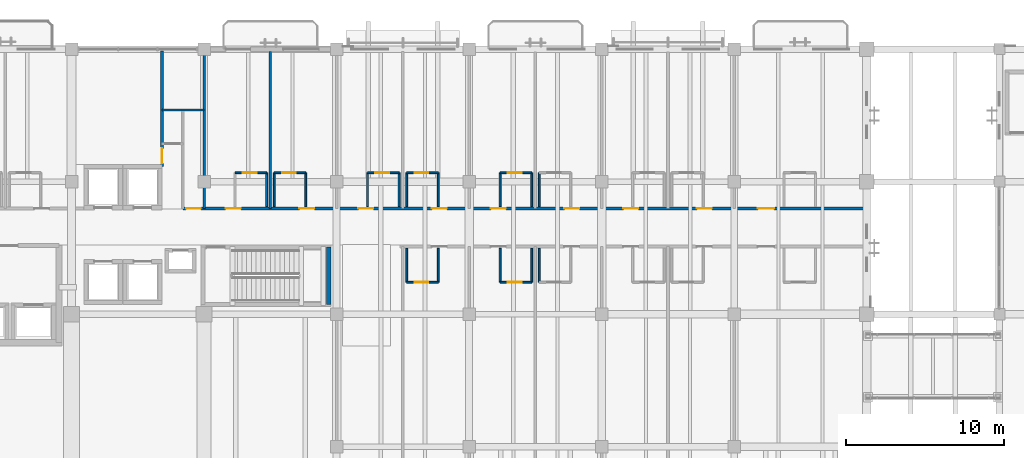
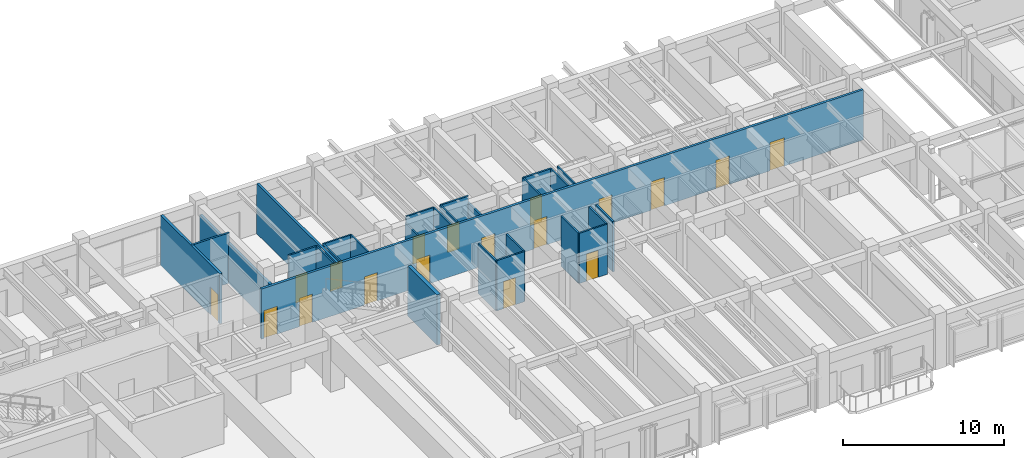
# One storey, part 89 of 132: 28 walls, 18 doors, 18 openings.
"""IFC4 building model written with IfcOpenShell, lengths in metres."""

from ifc_helpers import new_model, si_unit, direction, frame, frame_2d, origin, place, context, subcontext, project, spatial, rectangle, extrude, material, layer, layer_set, type_object, element, fill, save


model = new_model("IFC4")

# Units and contexts
model_context = context("Model", 3, precision=1e-05, world=origin(), true_north=direction((0.0, 1.0)))
body_context = subcontext(model_context, "Body", "Model", "MODEL_VIEW")
ifc_project = project(units=[si_unit("LENGTHUNIT", "METRE"), si_unit("AREAUNIT", "SQUARE_METRE"), si_unit("VOLUMEUNIT", "CUBIC_METRE"), si_unit("PLANEANGLEUNIT", "RADIAN"), si_unit("MASSUNIT", "GRAM", prefix="KILO")], contexts=[model_context])

# Site, building, storey
site_placement = place(None, origin())
site = spatial("IfcSite", under=ifc_project, at=site_placement, CompositionType="ELEMENT")
building_placement = place(site_placement, origin())
building = spatial("IfcBuilding", under=site, at=building_placement, Name="Cumbredor Promenade Congress Hotel", CompositionType="ELEMENT")
storey_placement = place(building_placement, frame((0.0, 0.0, 7.56005859375)))
storey = spatial("IfcBuildingStorey", under=building, at=storey_placement, Name="L02", CompositionType="ELEMENT", Elevation=7.56005859375)

# Wall, opening, door
ifc_material_1 = material(Name="Moisture-resistant gypsum board on steel studs", Category="steel")
ifc_layer_1 = layer(ifc_material_1, 0.114990234375, Name="Moisture-resistant gypsum board on steel studs", Category="steel")
ifc_layer_set_1 = layer_set([ifc_layer_1], Name="Moisture-resistant gypsum board on steel studs")
wall_type_1 = type_object("IfcWallType", Name="WL-BATH-115", PredefinedType="PARTITIONING", material=ifc_layer_set_1)
wall_1_placement = place(storey_placement, frame((43.9599609375, 109.77001953125, 0.0), z_axis=(0.0, 0.0, 1.0), x_axis=(1.0, 0.0, 0.0)))
wall_1 = element("IfcWall", 1, at=wall_1_placement, inside=storey, type_object=wall_type_1, Name="L02 Interior Partition W-L02-BH-0209", PredefinedType="PARTITIONING", context=body_context, shape_type="SweptSolid", body=[
    extrude(rectangle(XDim=2.0, YDim=0.114990234375, at=frame_2d((1.0, 0.0))), origin(), (0.0, 0.0, 1.0), 3.800048828125),
])
opening_1_placement = place(wall_1_placement, frame((0.5, 0.0, 0.0)))
opening_1 = element("IfcOpeningElement", 2, at=opening_1_placement, cuts=wall_1, Name="Opening ID-01", PredefinedType="OPENING", context=body_context, shape_type="SweptSolid", body=[
    extrude(rectangle(XDim=0.860107421875, YDim=2.050048828125, at=frame_2d((0.43017578125, 1.02490234375))), frame((0.0, 0.0673828125, 0.0), z_axis=(0.0, -1.0, 0.0), x_axis=(1.0, 0.0, 0.0)), (0.0, 0.0, 1.0), 0.135009765625),
])
ifc_material_2 = material(Name="Kiln-dried tropical hardwood", Category="wood")
door_type_1 = type_object("IfcDoorType", Name="DR-BATH-860", OperationType="NOTDEFINED", PredefinedType="DOOR", material=ifc_material_2)
door_1_placement = place(opening_1_placement, origin())
door_1 = element("IfcDoor", 3, at=door_1_placement, inside=storey, type_object=door_type_1, Name="L02 Interior Door W-L02-BH-0209-01", OperationType="SINGLE_SWING_RIGHT", OverallHeight=2.050048828125, OverallWidth=0.860107421875, PredefinedType="DOOR", context=body_context, shape_type="SweptSolid", body=[
    extrude(rectangle(XDim=0.860107421875, YDim=2.050048828125, at=frame_2d((0.43017578125, 1.02490234375))), frame((0.0, 0.02490234375, 0.0), z_axis=(0.0, -1.0, 0.0), x_axis=(1.0, 0.0, 0.0)), (0.0, 0.0, 1.0), 0.050048828125),
])
fill(opening_1, door_1)

# Wall
wall_2_placement = place(storey_placement, frame((45.9599609375, 107.6201171875, 0.0), z_axis=(0.0, 0.0, 1.0), x_axis=(0.0, 1.0, 0.0)))
element("IfcWall", 4, at=wall_2_placement, inside=storey, type_object=wall_type_1, Name="L02 Interior Partition W-L02-BV2-0209", PredefinedType="PARTITIONING", context=body_context, shape_type="SweptSolid", body=[
    extrude(rectangle(XDim=2.14990234375, YDim=0.114990234375, at=frame_2d((1.074951171875, 0.0))), origin(), (0.0, 0.0, 1.0), 3.800048828125),
])

# Wall, opening, door
wall_3_placement = place(storey_placement, frame((46.43994140625, 109.77001953125, 0.0), z_axis=(0.0, 0.0, 1.0), x_axis=(1.0, 0.0, 0.0)))
wall_3 = element("IfcWall", 5, at=wall_3_placement, inside=storey, type_object=wall_type_1, Name="L02 Interior Partition W-L02-BH-0210", PredefinedType="PARTITIONING", context=body_context, shape_type="SweptSolid", body=[
    extrude(rectangle(XDim=2.0, YDim=0.114990234375, at=frame_2d((1.0, 0.0))), origin(), (0.0, 0.0, 1.0), 3.800048828125),
])
opening_2_placement = place(wall_3_placement, frame((0.5, 0.0, 0.0)))
opening_2 = element("IfcOpeningElement", 6, at=opening_2_placement, cuts=wall_3, Name="Opening ID-01", PredefinedType="OPENING", context=body_context, shape_type="SweptSolid", body=[
    extrude(rectangle(XDim=0.860107421875, YDim=2.050048828125, at=frame_2d((0.43017578125, 1.02490234375))), frame((0.0, 0.0673828125, 0.0), z_axis=(0.0, -1.0, 0.0), x_axis=(1.0, 0.0, 0.0)), (0.0, 0.0, 1.0), 0.135009765625),
])
door_2_placement = place(opening_2_placement, origin())
door_2 = element("IfcDoor", 7, at=door_2_placement, inside=storey, type_object=door_type_1, Name="L02 Interior Door W-L02-BH-0210-01", OperationType="SINGLE_SWING_LEFT", OverallHeight=2.050048828125, OverallWidth=0.860107421875, PredefinedType="DOOR", context=body_context, shape_type="SweptSolid", body=[
    extrude(rectangle(XDim=0.860107421875, YDim=2.050048828125, at=frame_2d((0.43017578125, 1.02490234375))), frame((0.0, 0.02490234375, 0.0), z_axis=(0.0, -1.0, 0.0), x_axis=(1.0, 0.0, 0.0)), (0.0, 0.0, 1.0), 0.050048828125),
])
fill(opening_2, door_2)

# Walls
for number, where, z_axis, x_axis, name in (
    (8, (46.43994140625, 107.6201171875, 0.0), (0.0, 0.0, 1.0), (0.0, 1.0, 0.0), "L02 Interior Partition W-L02-BV1-0210"),
    (9, (48.43994140625, 107.6201171875, 0.0), (0.0, 0.0, 1.0), (0.0, 1.0, 0.0), "L02 Interior Partition W-L02-BV2-0210"),
):
    element("IfcWall", number, at=place(storey_placement, frame(where, z_axis=z_axis, x_axis=x_axis)), inside=storey, type_object=wall_type_1, Name=name, PredefinedType="PARTITIONING", context=body_context, shape_type="SweptSolid", body=[
        extrude(rectangle(XDim=2.14990234375, YDim=0.114990234375, at=frame_2d((1.074951171875, 0.0))), origin(), (0.0, 0.0, 1.0), 3.800048828125),
    ])

# Wall, opening, door
wall_4_placement = place(storey_placement, frame((52.360107421875, 109.77001953125, 0.0), z_axis=(0.0, 0.0, 1.0), x_axis=(1.0, 0.0, 0.0)))
wall_4 = element("IfcWall", 10, at=wall_4_placement, inside=storey, type_object=wall_type_1, Name="L02 Interior Partition W-L02-BH-0211", PredefinedType="PARTITIONING", context=body_context, shape_type="SweptSolid", body=[
    extrude(rectangle(XDim=2.0, YDim=0.114990234375, at=frame_2d((1.0, 0.0))), origin(), (0.0, 0.0, 1.0), 3.800048828125),
])
opening_3_placement = place(wall_4_placement, frame((0.5, 0.0, 0.0)))
opening_3 = element("IfcOpeningElement", 11, at=opening_3_placement, cuts=wall_4, Name="Opening ID-01", PredefinedType="OPENING", context=body_context, shape_type="SweptSolid", body=[
    extrude(rectangle(XDim=0.860107421875, YDim=2.050048828125, at=frame_2d((0.43017578125, 1.02490234375))), frame((0.0, 0.0673828125, 0.0), z_axis=(0.0, -1.0, 0.0), x_axis=(1.0, 0.0, 0.0)), (0.0, 0.0, 1.0), 0.135009765625),
])
door_3_placement = place(opening_3_placement, origin())
door_3 = element("IfcDoor", 12, at=door_3_placement, inside=storey, type_object=door_type_1, Name="L02 Interior Door W-L02-BH-0211-01", OperationType="SINGLE_SWING_RIGHT", OverallHeight=2.050048828125, OverallWidth=0.860107421875, PredefinedType="DOOR", context=body_context, shape_type="SweptSolid", body=[
    extrude(rectangle(XDim=0.860107421875, YDim=2.050048828125, at=frame_2d((0.43017578125, 1.02490234375))), frame((0.0, 0.02490234375, 0.0), z_axis=(0.0, -1.0, 0.0), x_axis=(1.0, 0.0, 0.0)), (0.0, 0.0, 1.0), 0.050048828125),
])
fill(opening_3, door_3)

# Walls
wall_5_placement = place(storey_placement, frame((52.360107421875, 107.6201171875, 0.0), z_axis=(0.0, 0.0, 1.0), x_axis=(0.0, 1.0, 0.0)))
element("IfcWall", 13, at=wall_5_placement, inside=storey, type_object=wall_type_1, Name="L02 Interior Partition W-L02-BV1-0211", PredefinedType="PARTITIONING", context=body_context, shape_type="SweptSolid", body=[
    extrude(rectangle(XDim=2.14990234375, YDim=0.114990234375, at=frame_2d((1.074951171875, 0.0))), origin(), (0.0, 0.0, 1.0), 3.322021484375),
])
wall_6_placement = place(storey_placement, frame((54.360107421875, 107.6201171875, 0.0), z_axis=(0.0, 0.0, 1.0), x_axis=(0.0, 1.0, 0.0)))
element("IfcWall", 14, at=wall_6_placement, inside=storey, type_object=wall_type_1, Name="L02 Interior Partition W-L02-BV2-0211", PredefinedType="PARTITIONING", context=body_context, shape_type="SweptSolid", body=[
    extrude(rectangle(XDim=2.14990234375, YDim=0.114990234375, at=frame_2d((1.074951171875, 0.0))), origin(), (0.0, 0.0, 1.0), 3.800048828125),
])

# Wall, opening, door
wall_7_placement = place(storey_placement, frame((54.840087890625, 109.77001953125, 0.0), z_axis=(0.0, 0.0, 1.0), x_axis=(1.0, 0.0, 0.0)))
wall_7 = element("IfcWall", 15, at=wall_7_placement, inside=storey, type_object=wall_type_1, Name="L02 Interior Partition W-L02-BH-0212", PredefinedType="PARTITIONING", context=body_context, shape_type="SweptSolid", body=[
    extrude(rectangle(XDim=2.0, YDim=0.114990234375, at=frame_2d((1.0, 0.0))), origin(), (0.0, 0.0, 1.0), 3.800048828125),
])
opening_4_placement = place(wall_7_placement, frame((0.5, 0.0, 0.0)))
opening_4 = element("IfcOpeningElement", 16, at=opening_4_placement, cuts=wall_7, Name="Opening ID-01", PredefinedType="OPENING", context=body_context, shape_type="SweptSolid", body=[
    extrude(rectangle(XDim=0.860107421875, YDim=2.050048828125, at=frame_2d((0.43017578125, 1.02490234375))), frame((0.0, 0.0673828125, 0.0), z_axis=(0.0, -1.0, 0.0), x_axis=(1.0, 0.0, 0.0)), (0.0, 0.0, 1.0), 0.135009765625),
])
door_4_placement = place(opening_4_placement, origin())
door_4 = element("IfcDoor", 17, at=door_4_placement, inside=storey, type_object=door_type_1, Name="L02 Interior Door W-L02-BH-0212-01", OperationType="SINGLE_SWING_LEFT", OverallHeight=2.050048828125, OverallWidth=0.860107421875, PredefinedType="DOOR", context=body_context, shape_type="SweptSolid", body=[
    extrude(rectangle(XDim=0.860107421875, YDim=2.050048828125, at=frame_2d((0.43017578125, 1.02490234375))), frame((0.0, 0.02490234375, 0.0), z_axis=(0.0, -1.0, 0.0), x_axis=(1.0, 0.0, 0.0)), (0.0, 0.0, 1.0), 0.050048828125),
])
fill(opening_4, door_4)

# Walls
wall_8_placement = place(storey_placement, frame((54.840087890625, 107.6201171875, 0.0), z_axis=(0.0, 0.0, 1.0), x_axis=(0.0, 1.0, 0.0)))
element("IfcWall", 18, at=wall_8_placement, inside=storey, type_object=wall_type_1, Name="L02 Interior Partition W-L02-BV1-0212", PredefinedType="PARTITIONING", context=body_context, shape_type="SweptSolid", body=[
    extrude(rectangle(XDim=2.14990234375, YDim=0.114990234375, at=frame_2d((1.074951171875, 0.0))), origin(), (0.0, 0.0, 1.0), 3.800048828125),
])
wall_9_placement = place(storey_placement, frame((56.840087890625, 107.6201171875, 0.0), z_axis=(0.0, 0.0, 1.0), x_axis=(0.0, 1.0, 0.0)))
element("IfcWall", 19, at=wall_9_placement, inside=storey, type_object=wall_type_1, Name="L02 Interior Partition W-L02-BV2-0212", PredefinedType="PARTITIONING", context=body_context, shape_type="SweptSolid", body=[
    extrude(rectangle(XDim=2.14990234375, YDim=0.114990234375, at=frame_2d((1.074951171875, 0.0))), origin(), (0.0, 0.0, 1.0), 3.322021484375),
])

# Wall, opening, door
wall_10_placement = place(storey_placement, frame((60.760009765625, 109.77001953125, 0.0), z_axis=(0.0, 0.0, 1.0), x_axis=(1.0, 0.0, 0.0)))
wall_10 = element("IfcWall", 20, at=wall_10_placement, inside=storey, type_object=wall_type_1, Name="L02 Interior Partition W-L02-BH-0213", PredefinedType="PARTITIONING", context=body_context, shape_type="SweptSolid", body=[
    extrude(rectangle(XDim=2.0, YDim=0.114990234375, at=frame_2d((1.0, 0.0))), origin(), (0.0, 0.0, 1.0), 3.800048828125),
])
opening_5_placement = place(wall_10_placement, frame((0.5, 0.0, 0.0)))
opening_5 = element("IfcOpeningElement", 21, at=opening_5_placement, cuts=wall_10, Name="Opening ID-01", PredefinedType="OPENING", context=body_context, shape_type="SweptSolid", body=[
    extrude(rectangle(XDim=0.860107421875, YDim=2.050048828125, at=frame_2d((0.43017578125, 1.02490234375))), frame((0.0, 0.0673828125, 0.0), z_axis=(0.0, -1.0, 0.0), x_axis=(1.0, 0.0, 0.0)), (0.0, 0.0, 1.0), 0.135009765625),
])
door_5_placement = place(opening_5_placement, origin())
door_5 = element("IfcDoor", 22, at=door_5_placement, inside=storey, type_object=door_type_1, Name="L02 Interior Door W-L02-BH-0213-01", OperationType="SINGLE_SWING_RIGHT", OverallHeight=2.050048828125, OverallWidth=0.860107421875, PredefinedType="DOOR", context=body_context, shape_type="SweptSolid", body=[
    extrude(rectangle(XDim=0.860107421875, YDim=2.050048828125, at=frame_2d((0.43017578125, 1.02490234375))), frame((0.0, 0.02490234375, 0.0), z_axis=(0.0, -1.0, 0.0), x_axis=(1.0, 0.0, 0.0)), (0.0, 0.0, 1.0), 0.050048828125),
])
fill(opening_5, door_5)

# Walls
for number, where, z_axis, x_axis, name in (
    (23, (60.760009765625, 107.6201171875, 0.0), (0.0, 0.0, 1.0), (0.0, 1.0, 0.0), "L02 Interior Partition W-L02-BV1-0213"),
    (24, (62.760009765625, 107.6201171875, 0.0), (0.0, 0.0, 1.0), (0.0, 1.0, 0.0), "L02 Interior Partition W-L02-BV2-0213"),
    (25, (63.239990234375, 107.6201171875, 0.0), (0.0, 0.0, 1.0), (0.0, 1.0, 0.0), "L02 Interior Partition W-L02-BV1-0214"),
):
    element("IfcWall", number, at=place(storey_placement, frame(where, z_axis=z_axis, x_axis=x_axis)), inside=storey, type_object=wall_type_1, Name=name, PredefinedType="PARTITIONING", context=body_context, shape_type="SweptSolid", body=[
        extrude(rectangle(XDim=2.14990234375, YDim=0.114990234375, at=frame_2d((1.074951171875, 0.0))), origin(), (0.0, 0.0, 1.0), 3.800048828125),
    ])

# Wall, opening, door
wall_11_placement = place(storey_placement, frame((54.840087890625, 102.830078125, 0.0), z_axis=(0.0, 0.0, 1.0), x_axis=(1.0, 0.0, 0.0)))
wall_11 = element("IfcWall", 26, at=wall_11_placement, inside=storey, type_object=wall_type_1, Name="L02 Interior Partition W-L02-BH-0218", PredefinedType="PARTITIONING", context=body_context, shape_type="SweptSolid", body=[
    extrude(rectangle(XDim=2.0, YDim=0.114990234375, at=frame_2d((1.0, 0.0))), origin(), (0.0, 0.0, 1.0), 3.800048828125),
])
opening_6_placement = place(wall_11_placement, frame((0.5, 0.0, 0.0)))
opening_6 = element("IfcOpeningElement", 27, at=opening_6_placement, cuts=wall_11, Name="Opening ID-01", PredefinedType="OPENING", context=body_context, shape_type="SweptSolid", body=[
    extrude(rectangle(XDim=0.860107421875, YDim=2.050048828125, at=frame_2d((0.43017578125, 1.02490234375))), frame((0.0, 0.0673828125, 0.0), z_axis=(0.0, -1.0, 0.0), x_axis=(1.0, 0.0, 0.0)), (0.0, 0.0, 1.0), 0.135009765625),
])
door_6_placement = place(opening_6_placement, origin())
door_6 = element("IfcDoor", 28, at=door_6_placement, inside=storey, type_object=door_type_1, Name="L02 Interior Door W-L02-BH-0218-01", OperationType="SINGLE_SWING_LEFT", OverallHeight=2.050048828125, OverallWidth=0.860107421875, PredefinedType="DOOR", context=body_context, shape_type="SweptSolid", body=[
    extrude(rectangle(XDim=0.860107421875, YDim=2.050048828125, at=frame_2d((0.43017578125, 1.02490234375))), frame((0.0, 0.02490234375, 0.0), z_axis=(0.0, -1.0, 0.0), x_axis=(1.0, 0.0, 0.0)), (0.0, 0.0, 1.0), 0.050048828125),
])
fill(opening_6, door_6)

# Walls
for number, where, z_axis, x_axis, name in (
    (29, (54.840087890625, 102.830078125, 0.0), (0.0, 0.0, 1.0), (0.0, 1.0, 0.0), "L02 Interior Partition W-L02-BV1-0218"),
    (30, (56.840087890625, 102.830078125, 0.0), (0.0, 0.0, 1.0), (0.0, 1.0, 0.0), "L02 Interior Partition W-L02-BV2-0218"),
):
    element("IfcWall", number, at=place(storey_placement, frame(where, z_axis=z_axis, x_axis=x_axis)), inside=storey, type_object=wall_type_1, Name=name, PredefinedType="PARTITIONING", context=body_context, shape_type="SweptSolid", body=[
        extrude(rectangle(XDim=2.14990234375, YDim=0.114990234375, at=frame_2d((1.074951171875, 0.0))), origin(), (0.0, 0.0, 1.0), 3.800048828125),
    ])

# Wall, opening, door
wall_12_placement = place(storey_placement, frame((60.760009765625, 102.830078125, 0.0), z_axis=(0.0, 0.0, 1.0), x_axis=(1.0, 0.0, 0.0)))
wall_12 = element("IfcWall", 31, at=wall_12_placement, inside=storey, type_object=wall_type_1, Name="L02 Interior Partition W-L02-BH-0219", PredefinedType="PARTITIONING", context=body_context, shape_type="SweptSolid", body=[
    extrude(rectangle(XDim=2.0, YDim=0.114990234375, at=frame_2d((1.0, 0.0))), origin(), (0.0, 0.0, 1.0), 3.800048828125),
])
opening_7_placement = place(wall_12_placement, frame((0.5, 0.0, 0.0)))
opening_7 = element("IfcOpeningElement", 32, at=opening_7_placement, cuts=wall_12, Name="Opening ID-01", PredefinedType="OPENING", context=body_context, shape_type="SweptSolid", body=[
    extrude(rectangle(XDim=0.860107421875, YDim=2.050048828125, at=frame_2d((0.43017578125, 1.02490234375))), frame((0.0, 0.0673828125, 0.0), z_axis=(0.0, -1.0, 0.0), x_axis=(1.0, 0.0, 0.0)), (0.0, 0.0, 1.0), 0.135009765625),
])
door_7_placement = place(opening_7_placement, origin())
door_7 = element("IfcDoor", 33, at=door_7_placement, inside=storey, type_object=door_type_1, Name="L02 Interior Door W-L02-BH-0219-01", OperationType="SINGLE_SWING_RIGHT", OverallHeight=2.050048828125, OverallWidth=0.860107421875, PredefinedType="DOOR", context=body_context, shape_type="SweptSolid", body=[
    extrude(rectangle(XDim=0.860107421875, YDim=2.050048828125, at=frame_2d((0.43017578125, 1.02490234375))), frame((0.0, 0.02490234375, 0.0), z_axis=(0.0, -1.0, 0.0), x_axis=(1.0, 0.0, 0.0)), (0.0, 0.0, 1.0), 0.050048828125),
])
fill(opening_7, door_7)

# Walls
for number, where, z_axis, x_axis, name in (
    (34, (60.760009765625, 102.830078125, 0.0), (0.0, 0.0, 1.0), (0.0, 1.0, 0.0), "L02 Interior Partition W-L02-BV1-0219"),
    (35, (62.760009765625, 102.830078125, 0.0), (0.0, 0.0, 1.0), (0.0, 1.0, 0.0), "L02 Interior Partition W-L02-BV2-0219"),
    (36, (63.239990234375, 102.830078125, 0.0), (0.0, 0.0, 1.0), (0.0, 1.0, 0.0), "L02 Interior Partition W-L02-BV1-0220"),
):
    element("IfcWall", number, at=place(storey_placement, frame(where, z_axis=z_axis, x_axis=x_axis)), inside=storey, type_object=wall_type_1, Name=name, PredefinedType="PARTITIONING", context=body_context, shape_type="SweptSolid", body=[
        extrude(rectangle(XDim=2.14990234375, YDim=0.114990234375, at=frame_2d((1.074951171875, 0.0))), origin(), (0.0, 0.0, 1.0), 3.800048828125),
    ])

# Wall, openings, doors
ifc_material_3 = material(Name="Fire-rated hotel corridor wall")
ifc_layer_2 = layer(ifc_material_3, 0.179931640625, Name="Fire-rated hotel corridor wall")
ifc_layer_set_2 = layer_set([ifc_layer_2], Name="Fire-rated hotel corridor wall")
wall_type_2 = type_object("IfcWallType", Name="WL-CORR-180", PredefinedType="PARTITIONING", material=ifc_layer_set_2)
wall_13_placement = place(storey_placement, frame((40.659912109375, 107.5, 0.0), z_axis=(0.0, 0.0, 1.0), x_axis=(1.0, 0.0, 0.0)))
wall_13 = element("IfcWall", 37, at=wall_13_placement, inside=storey, type_object=wall_type_2, Name="L02 Interior Partition W-L02-CORR-NE", PredefinedType="PARTITIONING", context=body_context, shape_type="SweptSolid", body=[
    extrude(rectangle(XDim=43.127685546875, YDim=0.179931640625, at=frame_2d((21.56396484375, 0.0))), origin(), (0.0, 0.0, 1.0), 3.800048828125),
])
opening_8_placement = place(wall_13_placement, frame((0.199951171875, 0.0, 0.0)))
opening_8 = element("IfcOpeningElement", 38, at=opening_8_placement, cuts=wall_13, Name="Opening FD-03", PredefinedType="OPENING", context=body_context, shape_type="SweptSolid", body=[
    extrude(rectangle(XDim=0.93994140625, YDim=2.10009765625, at=frame_2d((0.469970703125, 1.050048828125))), frame((0.0, 0.10009765625, 0.0), z_axis=(0.0, -1.0, 0.0), x_axis=(1.0, 0.0, 0.0)), (0.0, 0.0, 1.0), 0.199951171875),
])
opening_9_placement = place(wall_13_placement, frame((2.7099609375, 0.0, 0.0)))
opening_9 = element("IfcOpeningElement", 39, at=opening_9_placement, cuts=wall_13, Name="Opening FD-01", PredefinedType="OPENING", context=body_context, shape_type="SweptSolid", body=[
    extrude(rectangle(XDim=0.9599609375, YDim=2.14990234375, at=frame_2d((0.47998046875, 1.074951171875))), frame((0.0, 0.10009765625, 0.0), z_axis=(0.0, -1.0, 0.0), x_axis=(1.0, 0.0, 0.0)), (0.0, 0.0, 1.0), 0.199951171875),
])
opening_10_placement = place(wall_13_placement, frame((7.3701171875, 0.0, 0.0)))
opening_10 = element("IfcOpeningElement", 40, at=opening_10_placement, cuts=wall_13, Name="Opening FD-01", PredefinedType="OPENING", context=body_context, shape_type="SweptSolid", body=[
    extrude(rectangle(XDim=0.9599609375, YDim=2.14990234375, at=frame_2d((0.47998046875, 1.074951171875))), frame((0.0, 0.10009765625, 0.0), z_axis=(0.0, -1.0, 0.0), x_axis=(1.0, 0.0, 0.0)), (0.0, 0.0, 1.0), 0.199951171875),
])
opening_11_placement = place(wall_13_placement, frame((11.110107421875, 0.0, 0.0)))
opening_11 = element("IfcOpeningElement", 41, at=opening_11_placement, cuts=wall_13, Name="Opening FD-01", PredefinedType="OPENING", context=body_context, shape_type="SweptSolid", body=[
    extrude(rectangle(XDim=0.9599609375, YDim=2.14990234375, at=frame_2d((0.47998046875, 1.074951171875))), frame((0.0, 0.10009765625, 0.0), z_axis=(0.0, -1.0, 0.0), x_axis=(1.0, 0.0, 0.0)), (0.0, 0.0, 1.0), 0.199951171875),
])
opening_12_placement = place(wall_13_placement, frame((15.77001953125, 0.0, 0.0)))
opening_12 = element("IfcOpeningElement", 42, at=opening_12_placement, cuts=wall_13, Name="Opening FD-01", PredefinedType="OPENING", context=body_context, shape_type="SweptSolid", body=[
    extrude(rectangle(XDim=0.9599609375, YDim=2.14990234375, at=frame_2d((0.47998046875, 1.074951171875))), frame((0.0, 0.10009765625, 0.0), z_axis=(0.0, -1.0, 0.0), x_axis=(1.0, 0.0, 0.0)), (0.0, 0.0, 1.0), 0.199951171875),
])
opening_13_placement = place(wall_13_placement, frame((19.510009765625, 0.0, 0.0)))
opening_13 = element("IfcOpeningElement", 43, at=opening_13_placement, cuts=wall_13, Name="Opening FD-01", PredefinedType="OPENING", context=body_context, shape_type="SweptSolid", body=[
    extrude(rectangle(XDim=0.9599609375, YDim=2.14990234375, at=frame_2d((0.47998046875, 1.074951171875))), frame((0.0, 0.10009765625, 0.0), z_axis=(0.0, -1.0, 0.0), x_axis=(1.0, 0.0, 0.0)), (0.0, 0.0, 1.0), 0.199951171875),
])
opening_14_placement = place(wall_13_placement, frame((24.169921875, 0.0, 0.0)))
opening_14 = element("IfcOpeningElement", 44, at=opening_14_placement, cuts=wall_13, Name="Opening FD-01", PredefinedType="OPENING", context=body_context, shape_type="SweptSolid", body=[
    extrude(rectangle(XDim=0.9599609375, YDim=2.14990234375, at=frame_2d((0.47998046875, 1.074951171875))), frame((0.0, 0.10009765625, 0.0), z_axis=(0.0, -1.0, 0.0), x_axis=(1.0, 0.0, 0.0)), (0.0, 0.0, 1.0), 0.199951171875),
])
opening_15_placement = place(wall_13_placement, frame((27.909912109375, 0.0, 0.0)))
opening_15 = element("IfcOpeningElement", 45, at=opening_15_placement, cuts=wall_13, Name="Opening FD-01", PredefinedType="OPENING", context=body_context, shape_type="SweptSolid", body=[
    extrude(rectangle(XDim=0.9599609375, YDim=2.14990234375, at=frame_2d((0.47998046875, 1.074951171875))), frame((0.0, 0.10009765625, 0.0), z_axis=(0.0, -1.0, 0.0), x_axis=(1.0, 0.0, 0.0)), (0.0, 0.0, 1.0), 0.199951171875),
])
opening_16_placement = place(wall_13_placement, frame((32.570068359375, 0.0, 0.0)))
opening_16 = element("IfcOpeningElement", 46, at=opening_16_placement, cuts=wall_13, Name="Opening FD-01", PredefinedType="OPENING", context=body_context, shape_type="SweptSolid", body=[
    extrude(rectangle(XDim=0.9599609375, YDim=2.14990234375, at=frame_2d((0.47998046875, 1.074951171875))), frame((0.0, 0.10009765625, 0.0), z_axis=(0.0, -1.0, 0.0), x_axis=(1.0, 0.0, 0.0)), (0.0, 0.0, 1.0), 0.199951171875),
])
opening_17_placement = place(wall_13_placement, frame((36.43994140625, 0.0, 0.0)))
opening_17 = element("IfcOpeningElement", 47, at=opening_17_placement, cuts=wall_13, Name="Opening FD-02", PredefinedType="OPENING", context=body_context, shape_type="SweptSolid", body=[
    extrude(rectangle(XDim=1.02001953125, YDim=2.14990234375, at=frame_2d((0.510009765625, 1.074951171875))), frame((0.0, 0.10009765625, 0.0), z_axis=(0.0, -1.0, 0.0), x_axis=(1.0, 0.0, 0.0)), (0.0, 0.0, 1.0), 0.199951171875),
])
ifc_material_4 = material(Name="Solid-core fire-rated tropical hardwood", Category="wood")
door_type_2 = type_object("IfcDoorType", Name="DR-GUEST-FD30-1000", OperationType="NOTDEFINED", PredefinedType="DOOR", material=ifc_material_4)
door_8_placement = place(opening_17_placement, origin())
door_8 = element("IfcDoor", 48, at=door_8_placement, inside=storey, type_object=door_type_2, Name="L02 Interior Door W-L02-CORR-NE-10", OperationType="SINGLE_SWING_LEFT", OverallHeight=2.14990234375, OverallWidth=1.02001953125, PredefinedType="DOOR", context=body_context, shape_type="SweptSolid", body=[
    extrude(rectangle(XDim=1.02001953125, YDim=2.14990234375, at=frame_2d((0.510009765625, 1.074951171875))), frame((0.0, 0.02490234375, 0.0), z_axis=(0.0, -1.0, 0.0), x_axis=(1.0, 0.0, 0.0)), (0.0, 0.0, 1.0), 0.050048828125),
])
fill(opening_17, door_8)
door_type_3 = type_object("IfcDoorType", Name="DR-GUEST-FD30-950", OperationType="NOTDEFINED", PredefinedType="DOOR", material=ifc_material_4)
door_9_placement = place(opening_9_placement, origin())
door_9 = element("IfcDoor", 49, at=door_9_placement, inside=storey, type_object=door_type_3, Name="L02 Interior Door W-L02-CORR-NE-02", OperationType="SINGLE_SWING_LEFT", OverallHeight=2.14990234375, OverallWidth=0.9599609375, PredefinedType="DOOR", context=body_context, shape_type="SweptSolid", body=[
    extrude(rectangle(XDim=0.9599609375, YDim=2.14990234375, at=frame_2d((0.47998046875, 1.074951171875))), frame((0.0, 0.02490234375, 0.0), z_axis=(0.0, -1.0, 0.0), x_axis=(1.0, 0.0, 0.0)), (0.0, 0.0, 1.0), 0.050048828125),
])
fill(opening_9, door_9)
door_10_placement = place(opening_10_placement, origin())
door_10 = element("IfcDoor", 50, at=door_10_placement, inside=storey, type_object=door_type_3, Name="L02 Interior Door W-L02-CORR-NE-03", OperationType="SINGLE_SWING_RIGHT", OverallHeight=2.14990234375, OverallWidth=0.9599609375, PredefinedType="DOOR", context=body_context, shape_type="SweptSolid", body=[
    extrude(rectangle(XDim=0.9599609375, YDim=2.14990234375, at=frame_2d((0.47998046875, 1.074951171875))), frame((0.0, 0.02490234375, 0.0), z_axis=(0.0, -1.0, 0.0), x_axis=(1.0, 0.0, 0.0)), (0.0, 0.0, 1.0), 0.050048828125),
])
fill(opening_10, door_10)
door_11_placement = place(opening_11_placement, origin())
door_11 = element("IfcDoor", 51, at=door_11_placement, inside=storey, type_object=door_type_3, Name="L02 Interior Door W-L02-CORR-NE-04", OperationType="SINGLE_SWING_LEFT", OverallHeight=2.14990234375, OverallWidth=0.9599609375, PredefinedType="DOOR", context=body_context, shape_type="SweptSolid", body=[
    extrude(rectangle(XDim=0.9599609375, YDim=2.14990234375, at=frame_2d((0.47998046875, 1.074951171875))), frame((0.0, 0.02490234375, 0.0), z_axis=(0.0, -1.0, 0.0), x_axis=(1.0, 0.0, 0.0)), (0.0, 0.0, 1.0), 0.050048828125),
])
fill(opening_11, door_11)
door_12_placement = place(opening_12_placement, origin())
door_12 = element("IfcDoor", 52, at=door_12_placement, inside=storey, type_object=door_type_3, Name="L02 Interior Door W-L02-CORR-NE-05", OperationType="SINGLE_SWING_RIGHT", OverallHeight=2.14990234375, OverallWidth=0.9599609375, PredefinedType="DOOR", context=body_context, shape_type="SweptSolid", body=[
    extrude(rectangle(XDim=0.9599609375, YDim=2.14990234375, at=frame_2d((0.47998046875, 1.074951171875))), frame((0.0, 0.02490234375, 0.0), z_axis=(0.0, -1.0, 0.0), x_axis=(1.0, 0.0, 0.0)), (0.0, 0.0, 1.0), 0.050048828125),
])
fill(opening_12, door_12)
door_13_placement = place(opening_13_placement, origin())
door_13 = element("IfcDoor", 53, at=door_13_placement, inside=storey, type_object=door_type_3, Name="L02 Interior Door W-L02-CORR-NE-06", OperationType="SINGLE_SWING_LEFT", OverallHeight=2.14990234375, OverallWidth=0.9599609375, PredefinedType="DOOR", context=body_context, shape_type="SweptSolid", body=[
    extrude(rectangle(XDim=0.9599609375, YDim=2.14990234375, at=frame_2d((0.47998046875, 1.074951171875))), frame((0.0, 0.02490234375, 0.0), z_axis=(0.0, -1.0, 0.0), x_axis=(1.0, 0.0, 0.0)), (0.0, 0.0, 1.0), 0.050048828125),
])
fill(opening_13, door_13)
door_14_placement = place(opening_14_placement, origin())
door_14 = element("IfcDoor", 54, at=door_14_placement, inside=storey, type_object=door_type_3, Name="L02 Interior Door W-L02-CORR-NE-07", OperationType="SINGLE_SWING_RIGHT", OverallHeight=2.14990234375, OverallWidth=0.9599609375, PredefinedType="DOOR", context=body_context, shape_type="SweptSolid", body=[
    extrude(rectangle(XDim=0.9599609375, YDim=2.14990234375, at=frame_2d((0.47998046875, 1.074951171875))), frame((0.0, 0.02490234375, 0.0), z_axis=(0.0, -1.0, 0.0), x_axis=(1.0, 0.0, 0.0)), (0.0, 0.0, 1.0), 0.050048828125),
])
fill(opening_14, door_14)
door_15_placement = place(opening_15_placement, origin())
door_15 = element("IfcDoor", 55, at=door_15_placement, inside=storey, type_object=door_type_3, Name="L02 Interior Door W-L02-CORR-NE-08", OperationType="SINGLE_SWING_LEFT", OverallHeight=2.14990234375, OverallWidth=0.9599609375, PredefinedType="DOOR", context=body_context, shape_type="SweptSolid", body=[
    extrude(rectangle(XDim=0.9599609375, YDim=2.14990234375, at=frame_2d((0.47998046875, 1.074951171875))), frame((0.0, 0.02490234375, 0.0), z_axis=(0.0, -1.0, 0.0), x_axis=(1.0, 0.0, 0.0)), (0.0, 0.0, 1.0), 0.050048828125),
])
fill(opening_15, door_15)
door_16_placement = place(opening_16_placement, origin())
door_16 = element("IfcDoor", 56, at=door_16_placement, inside=storey, type_object=door_type_3, Name="L02 Interior Door W-L02-CORR-NE-09", OperationType="SINGLE_SWING_RIGHT", OverallHeight=2.14990234375, OverallWidth=0.9599609375, PredefinedType="DOOR", context=body_context, shape_type="SweptSolid", body=[
    extrude(rectangle(XDim=0.9599609375, YDim=2.14990234375, at=frame_2d((0.47998046875, 1.074951171875))), frame((0.0, 0.02490234375, 0.0), z_axis=(0.0, -1.0, 0.0), x_axis=(1.0, 0.0, 0.0)), (0.0, 0.0, 1.0), 0.050048828125),
])
fill(opening_16, door_16)
ifc_material_5 = material(Name="Painted galvanized steel fire door", Category="steel")
door_type_4 = type_object("IfcDoorType", Name="DR-SGL-FD60-950", OperationType="NOTDEFINED", PredefinedType="DOOR", material=ifc_material_5)
door_17_placement = place(opening_8_placement, origin())
door_17 = element("IfcDoor", 57, at=door_17_placement, inside=storey, type_object=door_type_4, Name="L02 Interior Door W-L02-CORR-NE-01", OperationType="SINGLE_SWING_RIGHT", OverallHeight=2.10009765625, OverallWidth=0.93994140625, PredefinedType="DOOR", context=body_context, shape_type="SweptSolid", body=[
    extrude(rectangle(XDim=0.93994140625, YDim=2.10009765625, at=frame_2d((0.469970703125, 1.050048828125))), frame((0.0, 0.02490234375, 0.0), z_axis=(0.0, -1.0, 0.0), x_axis=(1.0, 0.0, 0.0)), (0.0, 0.0, 1.0), 0.050048828125),
])
fill(opening_8, door_17)

# Wall, opening, door
wall_14_placement = place(storey_placement, frame((39.330078125, 110.14990234375, 0.0), z_axis=(0.0, 0.0, 1.0), x_axis=(0.0, 1.0, 0.0)))
wall_14 = element("IfcWall", 58, at=wall_14_placement, inside=storey, type_object=wall_type_2, Name="L02 Interior Partition W-L02-SALON-E", PredefinedType="PARTITIONING", context=body_context, shape_type="SweptSolid", body=[
    extrude(rectangle(XDim=7.320068359375, YDim=0.179931640625, at=frame_2d((3.66015625, 0.0))), origin(), (0.0, 0.0, 1.0), 3.800048828125),
])
opening_18_placement = place(wall_14_placement, frame((0.219970703125, 0.0, 0.0)))
opening_18 = element("IfcOpeningElement", 59, at=opening_18_placement, cuts=wall_14, Name="Opening FD-03", PredefinedType="OPENING", context=body_context, shape_type="SweptSolid", body=[
    extrude(rectangle(XDim=0.93994140625, YDim=2.10009765625, at=frame_2d((0.469970703125, 1.050048828125))), frame((0.0, 0.10009765625, 0.0), z_axis=(0.0, -1.0, 0.0), x_axis=(1.0, 0.0, 0.0)), (0.0, 0.0, 1.0), 0.199951171875),
])
door_18_placement = place(opening_18_placement, origin())
door_18 = element("IfcDoor", 60, at=door_18_placement, inside=storey, type_object=door_type_4, Name="L02 Interior Door W-L02-SALON-E-01", OperationType="SINGLE_SWING_LEFT", OverallHeight=2.10009765625, OverallWidth=0.93994140625, PredefinedType="DOOR", context=body_context, shape_type="SweptSolid", body=[
    extrude(rectangle(XDim=0.93994140625, YDim=2.10009765625, at=frame_2d((0.469970703125, 1.050048828125))), frame((0.0, 0.02490234375, 0.0), z_axis=(0.0, -1.0, 0.0), x_axis=(1.0, 0.0, 0.0)), (0.0, 0.0, 1.0), 0.050048828125),
])
fill(opening_18, door_18)

# Walls
ifc_material_6 = material(Name="Acoustic gypsum partition on steel studs", Category="steel")
ifc_layer_3 = layer(ifc_material_6, 0.139892578125, Name="Acoustic gypsum partition on steel studs", Category="steel")
ifc_layer_set_3 = layer_set([ifc_layer_3], Name="Acoustic gypsum partition on steel studs")
wall_type_3 = type_object("IfcWallType", Name="WL-PART-140", PredefinedType="PARTITIONING", material=ifc_layer_set_3)
wall_15_placement = place(storey_placement, frame((39.330078125, 113.75, 0.0), z_axis=(0.0, 0.0, 1.0), x_axis=(1.0, 0.0, 0.0)))
element("IfcWall", 61, at=wall_15_placement, inside=storey, type_object=wall_type_3, Name="L02 Interior Partition W-L02-HK-N", PredefinedType="PARTITIONING", context=body_context, shape_type="SweptSolid", body=[
    extrude(rectangle(XDim=2.669921875, YDim=0.139892578125, at=frame_2d((1.3349609375, 0.0))), origin(), (0.0, 0.0, 1.0), 3.800048828125),
])
ifc_material_7 = material(Name="Concrete C40/50", Category="concrete")
ifc_layer_4 = layer(ifc_material_7, 0.2548828125, Name="Concrete C40/50", Category="concrete")
ifc_layer_set_4 = layer_set([ifc_layer_4], Name="Concrete C40/50")
wall_type_4 = type_object("IfcWallType", Name="WL-SHAFT-250", PredefinedType="SOLIDWALL", material=ifc_layer_set_4)
wall_16_placement = place(storey_placement, frame((49.89990234375, 101.419921875, 0.0), z_axis=(0.0, 0.0, 1.0), x_axis=(0.0, 1.0, 0.0)))
element("IfcWall", 62, at=wall_16_placement, inside=storey, type_object=wall_type_4, Name="STAIR-ST-03-L02 Shaft Wall East", PredefinedType="SOLIDWALL", context=body_context, shape_type="SweptSolid", body=[
    extrude(rectangle(XDim=3.630126953125, YDim=0.2548828125, at=frame_2d((1.81494140625, 0.0))), origin(), (0.0, 0.0, 1.0), 3.800048828125),
])
ifc_material_8 = material(Name="Fire-rated acoustic double-stud partition")
ifc_layer_5 = layer(ifc_material_8, 0.1650390625, Name="Fire-rated acoustic double-stud partition")
ifc_layer_set_5 = layer_set([ifc_layer_5], Name="Fire-rated acoustic double-stud partition")
wall_type_5 = type_object("IfcWallType", Name="WL-UNIT-165", PredefinedType="PARTITIONING", material=ifc_layer_set_5)
wall_17_placement = place(storey_placement, frame((46.199951171875, 107.5, 0.0), z_axis=(0.0, 0.0, 1.0), x_axis=(0.0, 1.0, 0.0)))
element("IfcWall", 63, at=wall_17_placement, inside=storey, type_object=wall_type_5, Name="L02 Interior Partition W-L02-N-DIV-5-M", PredefinedType="PARTITIONING", context=body_context, shape_type="SweptSolid", body=[
    extrude(rectangle(XDim=9.9599609375, YDim=0.1650390625, at=frame_2d((4.97998046875, 0.0))), origin(), (0.0, 0.0, 1.0), 3.800048828125),
])
wall_18_placement = place(storey_placement, frame((42.0, 107.5, 0.0), z_axis=(0.0, 0.0, 1.0), x_axis=(0.0, 1.0, 0.0)))
element("IfcWall", 64, at=wall_18_placement, inside=storey, type_object=wall_type_5, Name="L02 Interior Partition W-L02-N-DIV-5-G", PredefinedType="PARTITIONING", context=body_context, shape_type="SweptSolid", body=[
    extrude(rectangle(XDim=9.75, YDim=0.1650390625, at=frame_2d((4.875, 0.0))), origin(), (0.0, 0.0, 1.0), 3.034912109375),
])

save(model, "model.ifc")
